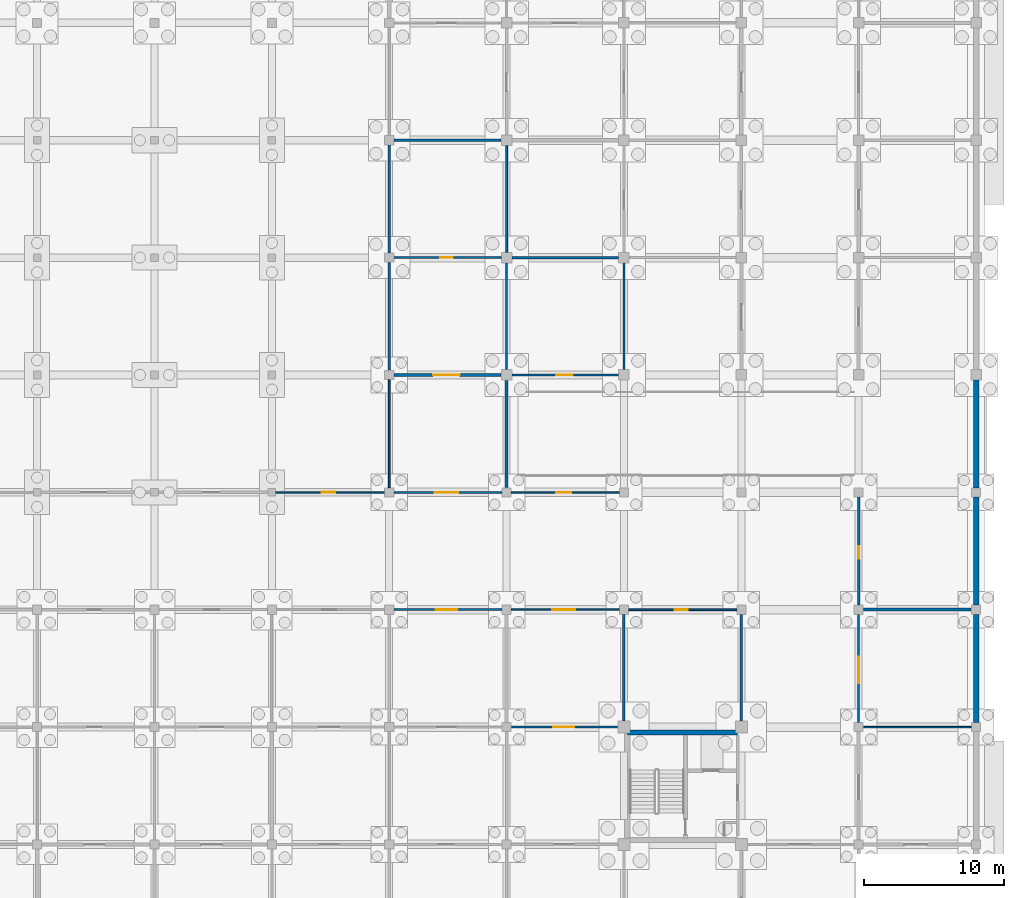
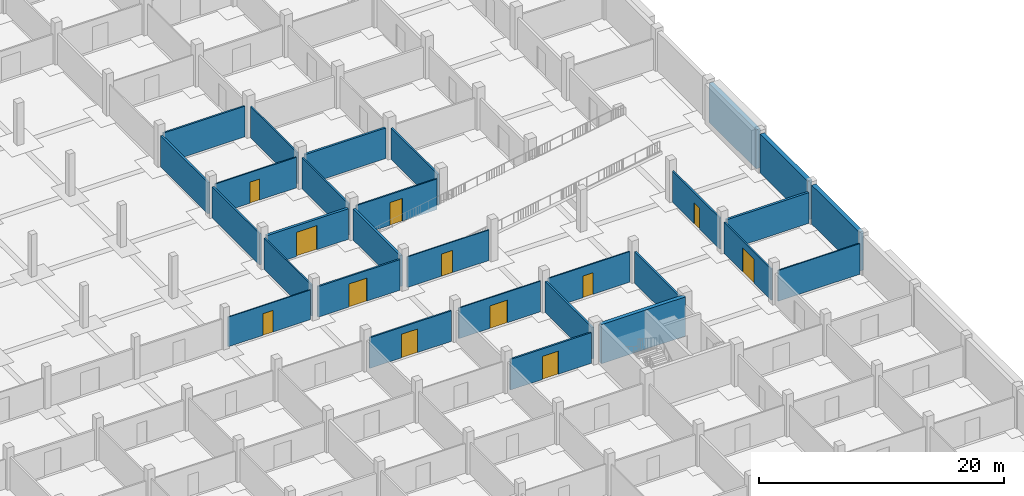
# One storey, part 34 of 43: 29 walls, 12 doors, 12 openings.
"""IFC4 building model written with IfcOpenShell, lengths in metres."""

from ifc_helpers import new_model, si_unit, direction, frame, frame_2d, origin, place, context, subcontext, project, spatial, rectangle, extrude, material, layer, layer_set, type_object, element, fill, save


model = new_model("IFC4")

# Units and contexts
model_context = context("Model", 3, precision=1e-05, world=origin(), true_north=direction((0.0, 1.0)))
body_context = subcontext(model_context, "Body", "Model", "MODEL_VIEW")
ifc_project = project(units=[si_unit("LENGTHUNIT", "METRE"), si_unit("AREAUNIT", "SQUARE_METRE"), si_unit("VOLUMEUNIT", "CUBIC_METRE"), si_unit("PLANEANGLEUNIT", "RADIAN"), si_unit("MASSUNIT", "GRAM", prefix="KILO")], contexts=[model_context])

# Site, building, storey
site_placement = place(None, origin())
site = spatial("IfcSite", under=ifc_project, at=site_placement, CompositionType="ELEMENT")
building_placement = place(site_placement, origin())
building = spatial("IfcBuilding", under=site, at=building_placement, Name="Varnapada Polytechnic", CompositionType="ELEMENT")
storey_placement = place(building_placement, frame((0.0, 0.0, -4.199951171875)))
storey = spatial("IfcBuildingStorey", under=building, at=storey_placement, Name="B1", CompositionType="ELEMENT", Elevation=-4.199951171875)

# Wall
ifc_material_1 = material(Name="Autoclaved Aerated Concrete Block AAC-600", Category="concrete")
ifc_layer_1 = layer(ifc_material_1, 0.14990234375)
ifc_layer_set_1 = layer_set([ifc_layer_1], Name="Autoclaved Aerated Concrete Block AAC-600")
wall_type_1 = type_object("IfcWallType", Name="Interior Wall IW-02", PredefinedType="PARTITIONING", material=ifc_layer_set_1)
wall_1_placement = place(storey_placement, frame((142.800048828125, 59.195068359375, 0.0), z_axis=(0.0, 0.0, 1.0), x_axis=(0.0, 1.0, 0.0)))
element("IfcWall", 1, at=wall_1_placement, inside=storey, type_object=wall_type_1, Name="B1 interior partition IW-B1-16-07-V", PredefinedType="PARTITIONING", context=body_context, shape_type="SweptSolid", body=[
    extrude(rectangle(XDim=7.60986328125, YDim=0.14990234375, at=frame_2d((3.804931640625, 0.0))), origin(), (0.0, 0.0, 1.0), 3.099853515625),
])

# Wall, opening, door
ifc_material_2 = material(Name="Gypsum Plasterboard Acoustic Partition")
ifc_layer_2 = layer(ifc_material_2, 0.125)
ifc_layer_set_2 = layer_set([ifc_layer_2], Name="Gypsum Plasterboard Acoustic Partition")
wall_type_2 = type_object("IfcWallType", Name="Interior Wall IW-03", PredefinedType="PARTITIONING", material=ifc_layer_set_2)
wall_2_placement = place(storey_placement, frame((134.7451171875, 67.199951171875, 0.0), z_axis=(0.0, 0.0, 1.0), x_axis=(1.0, 0.0, 0.0)))
wall_2 = element("IfcWall", 2, at=wall_2_placement, inside=storey, type_object=wall_type_2, Name="B1 interior partition IW-B1-16-07-H", PredefinedType="PARTITIONING", context=body_context, shape_type="SweptSolid", body=[
    extrude(rectangle(XDim=7.659912109375, YDim=0.125, at=frame_2d((3.830078125, 0.0))), origin(), (0.0, 0.0, 1.0), 3.050048828125),
])
opening_1_placement = place(wall_2_placement, frame((3.300048828125, 0.0, 0.0)))
opening_1 = element("IfcOpeningElement", 3, at=opening_1_placement, cuts=wall_2, Name="Opening D-761", PredefinedType="OPENING", context=body_context, shape_type="SweptSolid", body=[
    extrude(rectangle(XDim=0.89990234375, YDim=2.10009765625, at=frame_2d((0.449951171875, 1.050048828125))), frame((0.0, 0.072509765625, 0.0), z_axis=(0.0, -1.0, 0.0), x_axis=(1.0, 0.0, 0.0)), (0.0, 0.0, 1.0), 0.14501953125),
])
ifc_material_3 = material(Name="Moisture-Resistant HPL Timber", Category="wood")
door_type_1 = type_object("IfcDoorType", Name="Interior Door ID-15", OperationType="NOTDEFINED", PredefinedType="DOOR", material=ifc_material_3)
door_1_placement = place(opening_1_placement, frame((0.89990234375, 0.0, 0.0), z_axis=(0.0, 0.0, 1.0), x_axis=(-1.0, 0.0, 0.0)))
door_1 = element("IfcDoor", 4, at=door_1_placement, inside=storey, type_object=door_type_1, Name="B1 interior room door D-761", OperationType="SINGLE_SWING_RIGHT", OverallHeight=2.10009765625, OverallWidth=0.89990234375, PredefinedType="DOOR", context=body_context, shape_type="SweptSolid", body=[
    extrude(rectangle(XDim=0.89990234375, YDim=2.10009765625, at=frame_2d((0.449951171875, 1.050048828125))), frame((0.0, 0.02490234375, 0.0), z_axis=(0.0, -1.0, 0.0), x_axis=(1.0, 0.0, 0.0)), (0.0, 0.0, 1.0), 0.050048828125),
])
fill(opening_1, door_1)

# Walls
ifc_material_4 = material(Name="Moisture-Resistant Cement Board Partition")
ifc_layer_3 = layer(ifc_material_4, 0.139892578125)
ifc_layer_set_3 = layer_set([ifc_layer_3], Name="Moisture-Resistant Cement Board Partition")
wall_type_3 = type_object("IfcWallType", Name="Interior Wall IW-04", PredefinedType="PARTITIONING", material=ifc_layer_set_3)
wall_3_placement = place(storey_placement, frame((142.800048828125, 67.594970703125, 0.0), z_axis=(0.0, 0.0, 1.0), x_axis=(0.0, 1.0, 0.0)))
element("IfcWall", 5, at=wall_3_placement, inside=storey, type_object=wall_type_3, Name="B1 interior partition IW-B1-16-08-V", PredefinedType="PARTITIONING", context=body_context, shape_type="SweptSolid", body=[
    extrude(rectangle(XDim=7.610107421875, YDim=0.139892578125, at=frame_2d((3.80517578125, 0.0))), origin(), (0.0, 0.0, 1.0), 3.099853515625),
])
ifc_material_5 = material(Name="Cross-laminated timber CLT C24", Category="wood")
ifc_layer_4 = layer(ifc_material_5, 0.159912109375)
ifc_layer_set_4 = layer_set([ifc_layer_4], Name="Cross-laminated timber CLT C24")
wall_type_4 = type_object("IfcWallType", Name="Interior Wall IW-05", PredefinedType="PARTITIONING", material=ifc_layer_set_4)
wall_4_placement = place(storey_placement, frame((134.7451171875, 75.60009765625, 0.0), z_axis=(0.0, 0.0, 1.0), x_axis=(1.0, 0.0, 0.0)))
element("IfcWall", 6, at=wall_4_placement, inside=storey, type_object=wall_type_4, Name="B1 interior partition IW-B1-16-08-H", PredefinedType="PARTITIONING", context=body_context, shape_type="SweptSolid", body=[
    extrude(rectangle(XDim=7.659912109375, YDim=0.159912109375, at=frame_2d((3.830078125, 0.0))), origin(), (0.0, 0.0, 1.0), 3.050048828125),
])

# Wall, opening, door
wall_5_placement = place(storey_placement, frame((143.14501953125, 33.60009765625, 0.0), z_axis=(0.0, 0.0, 1.0), x_axis=(1.0, 0.0, 0.0)))
wall_5 = element("IfcWall", 7, at=wall_5_placement, inside=storey, type_object=wall_type_4, Name="B1 interior partition IW-B1-17-03-H", PredefinedType="PARTITIONING", context=body_context, shape_type="SweptSolid", body=[
    extrude(rectangle(XDim=7.60986328125, YDim=0.159912109375, at=frame_2d((3.804931640625, 0.0))), origin(), (0.0, 0.0, 1.0), 3.050048828125),
])
opening_2_placement = place(wall_5_placement, frame((3.0, 0.0, 0.0)))
opening_2 = element("IfcOpeningElement", 8, at=opening_2_placement, cuts=wall_5, Name="Opening D-770", PredefinedType="OPENING", context=body_context, shape_type="SweptSolid", body=[
    extrude(rectangle(XDim=1.5, YDim=2.300048828125, at=frame_2d((0.75, 1.14990234375))), frame((0.0, 0.08984375, 0.0), z_axis=(0.0, -1.0, 0.0), x_axis=(1.0, 0.0, 0.0)), (0.0, 0.0, 1.0), 0.179931640625),
])
ifc_material_6 = material(Name="Galvanized Steel Z275", Category="steel")
door_type_2 = type_object("IfcDoorType", Name="Interior Door ID-07", OperationType="NOTDEFINED", PredefinedType="DOOR", material=ifc_material_6)
door_2_placement = place(opening_2_placement, frame((1.5, 0.0, 0.0), z_axis=(0.0, 0.0, 1.0), x_axis=(-1.0, 0.0, 0.0)))
door_2 = element("IfcDoor", 9, at=door_2_placement, inside=storey, type_object=door_type_2, Name="B1 interior room door D-770", OperationType="SINGLE_SWING_LEFT", OverallHeight=2.300048828125, OverallWidth=1.5, PredefinedType="DOOR", context=body_context, shape_type="SweptSolid", body=[
    extrude(rectangle(XDim=1.5, YDim=2.300048828125, at=frame_2d((0.75, 1.14990234375))), frame((0.0, 0.02490234375, 0.0), z_axis=(0.0, -1.0, 0.0), x_axis=(1.0, 0.0, 0.0)), (0.0, 0.0, 1.0), 0.050048828125),
])
fill(opening_2, door_2)

# Wall
ifc_material_7 = material(Name="Acoustic Double-Stud Studio Partition")
ifc_layer_5 = layer(ifc_material_7, 0.179931640625)
ifc_layer_set_5 = layer_set([ifc_layer_5], Name="Acoustic Double-Stud Studio Partition")
wall_type_5 = type_object("IfcWallType", Name="Interior Wall IW-06", PredefinedType="PARTITIONING", material=ifc_layer_set_5)
wall_6_placement = place(storey_placement, frame((151.199951171875, 34.044921875, 0.0), z_axis=(0.0, 0.0, 1.0), x_axis=(0.0, 1.0, 0.0)))
element("IfcWall", 10, at=wall_6_placement, inside=storey, type_object=wall_type_5, Name="B1 interior partition IW-B1-17-04-V", PredefinedType="PARTITIONING", context=body_context, shape_type="SweptSolid", body=[
    extrude(rectangle(XDim=7.610107421875, YDim=0.179931640625, at=frame_2d((3.80517578125, 0.0))), origin(), (0.0, 0.0, 1.0), 3.099853515625),
])

# Wall, opening, door
ifc_material_8 = material(Name="Glazed Timber-Framed Studio Screen", Category="wood")
ifc_layer_6 = layer(ifc_material_8, 0.110107421875)
ifc_layer_set_6 = layer_set([ifc_layer_6], Name="Glazed Timber-Framed Studio Screen")
wall_type_6 = type_object("IfcWallType", Name="Interior Wall IW-07", PredefinedType="PARTITIONING", material=ifc_layer_set_6)
wall_7_placement = place(storey_placement, frame((143.14501953125, 42.0, 0.0), z_axis=(0.0, 0.0, 1.0), x_axis=(1.0, 0.0, 0.0)))
wall_7 = element("IfcWall", 11, at=wall_7_placement, inside=storey, type_object=wall_type_6, Name="B1 interior partition IW-B1-17-04-H", PredefinedType="PARTITIONING", context=body_context, shape_type="SweptSolid", body=[
    extrude(rectangle(XDim=7.7099609375, YDim=0.110107421875, at=frame_2d((3.85498046875, 0.0))), origin(), (0.0, 0.0, 1.0), 3.050048828125),
])
opening_3_placement = place(wall_7_placement, frame((2.925048828125, 0.0, 0.0)))
opening_3 = element("IfcOpeningElement", 12, at=opening_3_placement, cuts=wall_7, Name="Opening D-771", PredefinedType="OPENING", context=body_context, shape_type="SweptSolid", body=[
    extrude(rectangle(XDim=1.64990234375, YDim=2.25, at=frame_2d((0.824951171875, 1.125))), frame((0.0, 0.06494140625, 0.0), z_axis=(0.0, -1.0, 0.0), x_axis=(1.0, 0.0, 0.0)), (0.0, 0.0, 1.0), 0.130126953125),
])
ifc_material_9 = material(Name="Solid Teak Hardwood Timber", Category="wood")
door_type_3 = type_object("IfcDoorType", Name="Interior Door ID-08", OperationType="NOTDEFINED", PredefinedType="DOOR", material=ifc_material_9)
door_3_placement = place(opening_3_placement, origin())
door_3 = element("IfcDoor", 13, at=door_3_placement, inside=storey, type_object=door_type_3, Name="B1 interior room door D-771", OperationType="SINGLE_SWING_RIGHT", OverallHeight=2.25, OverallWidth=1.64990234375, PredefinedType="DOOR", context=body_context, shape_type="SweptSolid", body=[
    extrude(rectangle(XDim=1.64990234375, YDim=2.25, at=frame_2d((0.824951171875, 1.125))), frame((0.0, 0.02490234375, 0.0), z_axis=(0.0, -1.0, 0.0), x_axis=(1.0, 0.0, 0.0)), (0.0, 0.0, 1.0), 0.050048828125),
])
fill(opening_3, door_3)

ifc_material_10 = material(Name="Operable Acoustic Seminar Partition")
ifc_layer_7 = layer(ifc_material_10, 0.10009765625)
ifc_layer_set_7 = layer_set([ifc_layer_7], Name="Operable Acoustic Seminar Partition")
wall_type_7 = type_object("IfcWallType", Name="Interior Wall IW-08", PredefinedType="MOVABLE", material=ifc_layer_set_7)
wall_8_placement = place(storey_placement, frame((126.294921875, 50.39990234375, 0.0), z_axis=(0.0, 0.0, 1.0), x_axis=(1.0, 0.0, 0.0)))
wall_8 = element("IfcWall", 14, at=wall_8_placement, inside=storey, type_object=wall_type_7, Name="B1 interior partition IW-B1-15-05-H", PredefinedType="MOVABLE", context=body_context, shape_type="SweptSolid", body=[
    extrude(rectangle(XDim=7.760009765625, YDim=0.10009765625, at=frame_2d((3.8798828125, 0.0))), origin(), (0.0, 0.0, 1.0), 2.949951171875),
])
opening_4_placement = place(wall_8_placement, frame((3.27490234375, 0.0, 0.0)))
opening_4 = element("IfcOpeningElement", 15, at=opening_4_placement, cuts=wall_8, Name="Opening D-749", PredefinedType="OPENING", context=body_context, shape_type="SweptSolid", body=[
    extrude(rectangle(XDim=0.949951171875, YDim=2.14990234375, at=frame_2d((0.47509765625, 1.074951171875))), frame((0.0, 0.06005859375, 0.0), z_axis=(0.0, -1.0, 0.0), x_axis=(1.0, 0.0, 0.0)), (0.0, 0.0, 1.0), 0.1201171875),
])
door_type_4 = type_object("IfcDoorType", Name="Interior Door ID-03", OperationType="NOTDEFINED", PredefinedType="DOOR", material=ifc_material_3)
door_4_placement = place(opening_4_placement, frame((0.949951171875, 0.0, 0.0), z_axis=(0.0, 0.0, 1.0), x_axis=(-1.0, 0.0, 0.0)))
door_4 = element("IfcDoor", 16, at=door_4_placement, inside=storey, type_object=door_type_4, Name="B1 interior room door D-749", OperationType="SINGLE_SWING_RIGHT", OverallHeight=2.14990234375, OverallWidth=0.949951171875, PredefinedType="DOOR", context=body_context, shape_type="SweptSolid", body=[
    extrude(rectangle(XDim=0.949951171875, YDim=2.14990234375, at=frame_2d((0.47509765625, 1.074951171875))), frame((0.0, 0.02490234375, 0.0), z_axis=(0.0, -1.0, 0.0), x_axis=(1.0, 0.0, 0.0)), (0.0, 0.0, 1.0), 0.050048828125),
])
fill(opening_4, door_4)

wall_9_placement = place(storey_placement, frame((143.14501953125, 50.39990234375, 0.0), z_axis=(0.0, 0.0, 1.0), x_axis=(1.0, 0.0, 0.0)))
wall_9 = element("IfcWall", 17, at=wall_9_placement, inside=storey, type_object=wall_type_7, Name="B1 interior partition IW-B1-17-05-H", PredefinedType="MOVABLE", context=body_context, shape_type="SweptSolid", body=[
    extrude(rectangle(XDim=7.7099609375, YDim=0.10009765625, at=frame_2d((3.85498046875, 0.0))), origin(), (0.0, 0.0, 1.0), 3.050048828125),
])
opening_5_placement = place(wall_9_placement, frame((3.22509765625, 0.0, 0.0)))
opening_5 = element("IfcOpeningElement", 18, at=opening_5_placement, cuts=wall_9, Name="Opening D-772", PredefinedType="OPENING", context=body_context, shape_type="SweptSolid", body=[
    extrude(rectangle(XDim=1.050048828125, YDim=2.199951171875, at=frame_2d((0.52490234375, 1.10009765625))), frame((0.0, 0.06005859375, 0.0), z_axis=(0.0, -1.0, 0.0), x_axis=(1.0, 0.0, 0.0)), (0.0, 0.0, 1.0), 0.1201171875),
])
door_type_5 = type_object("IfcDoorType", Name="Interior Door ID-09", OperationType="NOTDEFINED", PredefinedType="DOOR", material=ifc_material_9)
door_5_placement = place(opening_5_placement, origin())
door_5 = element("IfcDoor", 19, at=door_5_placement, inside=storey, type_object=door_type_5, Name="B1 interior room door D-772", OperationType="SINGLE_SWING_LEFT", OverallHeight=2.199951171875, OverallWidth=1.050048828125, PredefinedType="DOOR", context=body_context, shape_type="SweptSolid", body=[
    extrude(rectangle(XDim=1.050048828125, YDim=2.199951171875, at=frame_2d((0.52490234375, 1.10009765625))), frame((0.0, 0.02490234375, 0.0), z_axis=(0.0, -1.0, 0.0), x_axis=(1.0, 0.0, 0.0)), (0.0, 0.0, 1.0), 0.050048828125),
])
fill(opening_5, door_5)

# Wall
ifc_material_11 = material(Name="Calcium Silicate Acoustic Lab Partition")
ifc_layer_8 = layer(ifc_material_11, 0.135009765625)
ifc_layer_set_8 = layer_set([ifc_layer_8], Name="Calcium Silicate Acoustic Lab Partition")
wall_type_8 = type_object("IfcWallType", Name="Interior Wall IW-09", PredefinedType="PARTITIONING", material=ifc_layer_set_8)
wall_10_placement = place(storey_placement, frame((134.39990234375, 50.7451171875, 0.0), z_axis=(0.0, 0.0, 1.0), x_axis=(0.0, 1.0, 0.0)))
element("IfcWall", 20, at=wall_10_placement, inside=storey, type_object=wall_type_8, Name="B1 interior partition IW-B1-15-06-V", PredefinedType="PARTITIONING", context=body_context, shape_type="SweptSolid", body=[
    extrude(rectangle(XDim=7.7099609375, YDim=0.135009765625, at=frame_2d((3.85498046875, 0.0))), origin(), (0.0, 0.0, 1.0), 3.099853515625),
])

# Wall, opening, door
wall_11_placement = place(storey_placement, frame((143.195068359375, 58.800048828125, 0.0), z_axis=(0.0, 0.0, 1.0), x_axis=(1.0, 0.0, 0.0)))
wall_11 = element("IfcWall", 21, at=wall_11_placement, inside=storey, type_object=wall_type_8, Name="B1 interior partition IW-B1-17-06-H", PredefinedType="PARTITIONING", context=body_context, shape_type="SweptSolid", body=[
    extrude(rectangle(XDim=7.60986328125, YDim=0.135009765625, at=frame_2d((3.804931640625, 0.0))), origin(), (0.0, 0.0, 1.0), 3.050048828125),
])
opening_6_placement = place(wall_11_placement, frame((3.175048828125, 0.0, 0.0)))
opening_6 = element("IfcOpeningElement", 22, at=opening_6_placement, cuts=wall_11, Name="Opening D-773", PredefinedType="OPENING", context=body_context, shape_type="SweptSolid", body=[
    extrude(rectangle(XDim=1.14990234375, YDim=2.25, at=frame_2d((0.574951171875, 1.125))), frame((0.0, 0.077392578125, 0.0), z_axis=(0.0, -1.0, 0.0), x_axis=(1.0, 0.0, 0.0)), (0.0, 0.0, 1.0), 0.155029296875),
])
ifc_material_12 = material(Name="Powder-Coated Aluminium 6063-T6", Category="aluminium")
door_type_6 = type_object("IfcDoorType", Name="Interior Door ID-10", OperationType="NOTDEFINED", PredefinedType="DOOR", material=ifc_material_12)
door_6_placement = place(opening_6_placement, frame((1.14990234375, 0.0, 0.0), z_axis=(0.0, 0.0, 1.0), x_axis=(-1.0, 0.0, 0.0)))
door_6 = element("IfcDoor", 23, at=door_6_placement, inside=storey, type_object=door_type_6, Name="B1 interior room door D-773", OperationType="SINGLE_SWING_RIGHT", OverallHeight=2.25, OverallWidth=1.14990234375, PredefinedType="DOOR", context=body_context, shape_type="SweptSolid", body=[
    extrude(rectangle(XDim=1.14990234375, YDim=2.25, at=frame_2d((0.574951171875, 1.125))), frame((0.0, 0.02490234375, 0.0), z_axis=(0.0, -1.0, 0.0), x_axis=(1.0, 0.0, 0.0)), (0.0, 0.0, 1.0), 0.050048828125),
])
fill(opening_6, door_6)

# Walls
ifc_material_13 = material(Name="Double-Layer Fireboard Workshop Wall")
ifc_layer_9 = layer(ifc_material_13, 0.169921875)
ifc_layer_set_9 = layer_set([ifc_layer_9], Name="Double-Layer Fireboard Workshop Wall")
wall_type_9 = type_object("IfcWallType", Name="Interior Wall IW-10", PredefinedType="PARTITIONING", material=ifc_layer_set_9)
wall_12_placement = place(storey_placement, frame((134.39990234375, 59.14501953125, 0.0), z_axis=(0.0, 0.0, 1.0), x_axis=(0.0, 1.0, 0.0)))
element("IfcWall", 24, at=wall_12_placement, inside=storey, type_object=wall_type_9, Name="B1 interior partition IW-B1-15-07-V", PredefinedType="PARTITIONING", context=body_context, shape_type="SweptSolid", body=[
    extrude(rectangle(XDim=7.7099609375, YDim=0.169921875, at=frame_2d((3.85498046875, 0.0))), origin(), (0.0, 0.0, 1.0), 3.099853515625),
])
wall_13_placement = place(storey_placement, frame((151.199951171875, 59.195068359375, 0.0), z_axis=(0.0, 0.0, 1.0), x_axis=(0.0, 1.0, 0.0)))
element("IfcWall", 25, at=wall_13_placement, inside=storey, type_object=wall_type_9, Name="B1 interior partition IW-B1-17-07-V", PredefinedType="PARTITIONING", context=body_context, shape_type="SweptSolid", body=[
    extrude(rectangle(XDim=7.60986328125, YDim=0.169921875, at=frame_2d((3.804931640625, 0.0))), origin(), (0.0, 0.0, 1.0), 3.099853515625),
])
ifc_material_14 = material(Name="Insulated Masonry Plant Room Wall", Category="masonry")
ifc_layer_10 = layer(ifc_material_14, 0.18994140625)
ifc_layer_set_10 = layer_set([ifc_layer_10], Name="Insulated Masonry Plant Room Wall")
wall_type_10 = type_object("IfcWallType", Name="Interior Wall IW-11", PredefinedType="PARTITIONING", material=ifc_layer_set_10)
wall_14_placement = place(storey_placement, frame((134.39990234375, 67.544921875, 0.0), z_axis=(0.0, 0.0, 1.0), x_axis=(0.0, 1.0, 0.0)))
element("IfcWall", 26, at=wall_14_placement, inside=storey, type_object=wall_type_10, Name="B1 interior partition IW-B1-15-08-V", PredefinedType="PARTITIONING", context=body_context, shape_type="SweptSolid", body=[
    extrude(rectangle(XDim=7.7099609375, YDim=0.18994140625, at=frame_2d((3.85498046875, 0.0))), origin(), (0.0, 0.0, 1.0), 3.099853515625),
])
wall_15_placement = place(storey_placement, frame((143.195068359375, 67.199951171875, 0.0), z_axis=(0.0, 0.0, 1.0), x_axis=(1.0, 0.0, 0.0)))
element("IfcWall", 27, at=wall_15_placement, inside=storey, type_object=wall_type_10, Name="B1 interior partition IW-B1-17-07-H", PredefinedType="PARTITIONING", context=body_context, shape_type="SweptSolid", body=[
    extrude(rectangle(XDim=7.60986328125, YDim=0.18994140625, at=frame_2d((3.804931640625, 0.0))), origin(), (0.0, 0.0, 1.0), 3.050048828125),
])
wall_16_placement = place(storey_placement, frame((159.60009765625, 34.044921875, 0.0), z_axis=(0.0, 0.0, 1.0), x_axis=(0.0, 1.0, 0.0)))
element("IfcWall", 28, at=wall_16_placement, inside=storey, type_object=wall_type_10, Name="B1 interior partition IW-B1-18-04-V", PredefinedType="PARTITIONING", context=body_context, shape_type="SweptSolid", body=[
    extrude(rectangle(XDim=7.610107421875, YDim=0.18994140625, at=frame_2d((3.80517578125, 0.0))), origin(), (0.0, 0.0, 1.0), 3.099853515625),
])

# Wall, opening, door
ifc_material_15 = material(Name="Timber-Stud Studio Critique Partition", Category="wood")
ifc_layer_11 = layer(ifc_material_15, 0.114990234375)
ifc_layer_set_11 = layer_set([ifc_layer_11], Name="Timber-Stud Studio Critique Partition")
wall_type_11 = type_object("IfcWallType", Name="Interior Wall IW-12", PredefinedType="PARTITIONING", material=ifc_layer_set_11)
wall_17_placement = place(storey_placement, frame((151.544921875, 42.0, 0.0), z_axis=(0.0, 0.0, 1.0), x_axis=(1.0, 0.0, 0.0)))
wall_17 = element("IfcWall", 29, at=wall_17_placement, inside=storey, type_object=wall_type_11, Name="B1 interior partition IW-B1-18-04-H", PredefinedType="PARTITIONING", context=body_context, shape_type="SweptSolid", body=[
    extrude(rectangle(XDim=7.7099609375, YDim=0.114990234375, at=frame_2d((3.85498046875, 0.0))), origin(), (0.0, 0.0, 1.0), 3.050048828125),
])
opening_7_placement = place(wall_17_placement, frame((3.27490234375, 0.0, 0.0)))
opening_7 = element("IfcOpeningElement", 30, at=opening_7_placement, cuts=wall_17, Name="Opening D-783", PredefinedType="OPENING", context=body_context, shape_type="SweptSolid", body=[
    extrude(rectangle(XDim=0.949951171875, YDim=2.14990234375, at=frame_2d((0.47509765625, 1.074951171875))), frame((0.0, 0.0673828125, 0.0), z_axis=(0.0, -1.0, 0.0), x_axis=(1.0, 0.0, 0.0)), (0.0, 0.0, 1.0), 0.135009765625),
])
door_7_placement = place(opening_7_placement, origin())
door_7 = element("IfcDoor", 31, at=door_7_placement, inside=storey, type_object=door_type_4, Name="B1 interior room door D-783", OperationType="SINGLE_SWING_RIGHT", OverallHeight=2.14990234375, OverallWidth=0.949951171875, PredefinedType="DOOR", context=body_context, shape_type="SweptSolid", body=[
    extrude(rectangle(XDim=0.949951171875, YDim=2.14990234375, at=frame_2d((0.47509765625, 1.074951171875))), frame((0.0, 0.02490234375, 0.0), z_axis=(0.0, -1.0, 0.0), x_axis=(1.0, 0.0, 0.0)), (0.0, 0.0, 1.0), 0.050048828125),
])
fill(opening_7, door_7)

# Walls
wall_18_placement = place(storey_placement, frame((168.344970703125, 33.60009765625, 0.0), z_axis=(0.0, 0.0, 1.0), x_axis=(1.0, 0.0, 0.0)))
element("IfcWall", 32, at=wall_18_placement, inside=storey, type_object=wall_type_11, Name="B1 interior partition IW-B1-20-03-H", PredefinedType="PARTITIONING", context=body_context, shape_type="SweptSolid", body=[
    extrude(rectangle(XDim=7.7099609375, YDim=0.114990234375, at=frame_2d((3.85498046875, 0.0))), origin(), (0.0, 0.0, 1.0), 3.050048828125),
])
ifc_material_16 = material(Name="Heavy Acoustic Auditorium Baffle Wall")
ifc_layer_12 = layer(ifc_material_16, 0.219970703125)
ifc_layer_set_12 = layer_set([ifc_layer_12], Name="Heavy Acoustic Auditorium Baffle Wall")
wall_type_12 = type_object("IfcWallType", Name="Interior Wall IW-13", PredefinedType="PARTITIONING", material=ifc_layer_set_12)
wall_19_placement = place(storey_placement, frame((168.344970703125, 42.0, 0.0), z_axis=(0.0, 0.0, 1.0), x_axis=(1.0, 0.0, 0.0)))
element("IfcWall", 33, at=wall_19_placement, inside=storey, type_object=wall_type_12, Name="B1 interior partition IW-B1-20-04-H", PredefinedType="PARTITIONING", context=body_context, shape_type="SweptSolid", body=[
    extrude(rectangle(XDim=7.7099609375, YDim=0.219970703125, at=frame_2d((3.85498046875, 0.0))), origin(), (0.0, 0.0, 1.0), 3.050048828125),
])

# Wall, opening, door
ifc_material_17 = material(Name="Ceramic-Tiled Wet Laboratory Wall")
ifc_layer_13 = layer(ifc_material_17, 0.14501953125)
ifc_layer_set_13 = layer_set([ifc_layer_13], Name="Ceramic-Tiled Wet Laboratory Wall")
wall_type_13 = type_object("IfcWallType", Name="Interior Wall IW-14", PredefinedType="PARTITIONING", material=ifc_layer_set_13)
wall_20_placement = place(storey_placement, frame((134.7451171875, 42.0, 0.0), z_axis=(0.0, 0.0, 1.0), x_axis=(1.0, 0.0, 0.0)))
wall_20 = element("IfcWall", 34, at=wall_20_placement, inside=storey, type_object=wall_type_13, Name="B1 interior partition IW-B1-16-04-H", PredefinedType="PARTITIONING", context=body_context, shape_type="SweptSolid", body=[
    extrude(rectangle(XDim=7.7099609375, YDim=0.14501953125, at=frame_2d((3.85498046875, 0.0))), origin(), (0.0, 0.0, 1.0), 3.050048828125),
])
opening_8_placement = place(wall_20_placement, frame((2.97509765625, 0.0, 0.0)))
opening_8 = element("IfcOpeningElement", 35, at=opening_8_placement, cuts=wall_20, Name="Opening D-758", PredefinedType="OPENING", context=body_context, shape_type="SweptSolid", body=[
    extrude(rectangle(XDim=1.550048828125, YDim=2.35009765625, at=frame_2d((0.77490234375, 1.175048828125))), frame((0.0, 0.08251953125, 0.0), z_axis=(0.0, -1.0, 0.0), x_axis=(1.0, 0.0, 0.0)), (0.0, 0.0, 1.0), 0.1650390625),
])
door_type_7 = type_object("IfcDoorType", Name="Interior Door ID-12", OperationType="NOTDEFINED", PredefinedType="DOOR", material=ifc_material_6)
door_8_placement = place(opening_8_placement, frame((1.550048828125, 0.0, 0.0), z_axis=(0.0, 0.0, 1.0), x_axis=(-1.0, 0.0, 0.0)))
door_8 = element("IfcDoor", 36, at=door_8_placement, inside=storey, type_object=door_type_7, Name="B1 interior room door D-758", OperationType="SINGLE_SWING_LEFT", OverallHeight=2.35009765625, OverallWidth=1.550048828125, PredefinedType="DOOR", context=body_context, shape_type="SweptSolid", body=[
    extrude(rectangle(XDim=1.550048828125, YDim=2.35009765625, at=frame_2d((0.77490234375, 1.175048828125))), frame((0.0, 0.02490234375, 0.0), z_axis=(0.0, -1.0, 0.0), x_axis=(1.0, 0.0, 0.0)), (0.0, 0.0, 1.0), 0.050048828125),
])
fill(opening_8, door_8)

wall_21_placement = place(storey_placement, frame((168.0, 33.945068359375, 0.0), z_axis=(0.0, 0.0, 1.0), x_axis=(0.0, 1.0, 0.0)))
wall_21 = element("IfcWall", 37, at=wall_21_placement, inside=storey, type_object=wall_type_13, Name="B1 interior partition IW-B1-19-04-V", PredefinedType="PARTITIONING", context=body_context, shape_type="SweptSolid", body=[
    extrude(rectangle(XDim=7.7099609375, YDim=0.14501953125, at=frame_2d((3.85498046875, 0.0))), origin(), (0.0, 0.0, 1.0), 3.099853515625),
])
opening_9_placement = place(wall_21_placement, frame((2.800048828125, 0.0, 0.0)))
opening_9 = element("IfcOpeningElement", 38, at=opening_9_placement, cuts=wall_21, Name="Opening D-794", PredefinedType="OPENING", context=body_context, shape_type="SweptSolid", body=[
    extrude(rectangle(XDim=1.89990234375, YDim=2.39990234375, at=frame_2d((0.949951171875, 1.199951171875))), frame((0.0, 0.08251953125, 0.0), z_axis=(0.0, -1.0, 0.0), x_axis=(1.0, 0.0, 0.0)), (0.0, 0.0, 1.0), 0.1650390625),
])
ifc_material_18 = material(Name="Heavy Workshop Double Steel Door", Category="steel")
door_type_8 = type_object("IfcDoorType", Name="Interior Door ID-14", OperationType="NOTDEFINED", PredefinedType="DOOR", material=ifc_material_18)
door_9_placement = place(opening_9_placement, frame((1.89990234375, 0.0, 0.0), z_axis=(0.0, 0.0, 1.0), x_axis=(-1.0, 0.0, 0.0)))
door_9 = element("IfcDoor", 39, at=door_9_placement, inside=storey, type_object=door_type_8, Name="B1 interior room door D-794", OperationType="SINGLE_SWING_LEFT", OverallHeight=2.39990234375, OverallWidth=1.89990234375, PredefinedType="DOOR", context=body_context, shape_type="SweptSolid", body=[
    extrude(rectangle(XDim=1.89990234375, YDim=2.39990234375, at=frame_2d((0.949951171875, 1.199951171875))), frame((0.0, 0.02490234375, 0.0), z_axis=(0.0, -1.0, 0.0), x_axis=(1.0, 0.0, 0.0)), (0.0, 0.0, 1.0), 0.050048828125),
])
fill(opening_9, door_9)

ifc_material_19 = material(Name="Perforated Timber-Lined Seminar Wall", Category="wood")
ifc_layer_14 = layer(ifc_material_19, 0.155029296875)
ifc_layer_set_14 = layer_set([ifc_layer_14], Name="Perforated Timber-Lined Seminar Wall")
wall_type_14 = type_object("IfcWallType", Name="Interior Wall IW-15", PredefinedType="PARTITIONING", material=ifc_layer_set_14)
wall_22_placement = place(storey_placement, frame((134.7451171875, 50.39990234375, 0.0), z_axis=(0.0, 0.0, 1.0), x_axis=(1.0, 0.0, 0.0)))
wall_22 = element("IfcWall", 40, at=wall_22_placement, inside=storey, type_object=wall_type_14, Name="B1 interior partition IW-B1-16-05-H", PredefinedType="PARTITIONING", context=body_context, shape_type="SweptSolid", body=[
    extrude(rectangle(XDim=7.7099609375, YDim=0.155029296875, at=frame_2d((3.85498046875, 0.0))), origin(), (0.0, 0.0, 1.0), 3.050048828125),
])
opening_10_placement = place(wall_22_placement, frame((2.89990234375, 0.0, 0.0)))
opening_10 = element("IfcOpeningElement", 41, at=opening_10_placement, cuts=wall_22, Name="Opening D-759", PredefinedType="OPENING", context=body_context, shape_type="SweptSolid", body=[
    extrude(rectangle(XDim=1.699951171875, YDim=2.300048828125, at=frame_2d((0.85009765625, 1.14990234375))), frame((0.0, 0.08740234375, 0.0), z_axis=(0.0, -1.0, 0.0), x_axis=(1.0, 0.0, 0.0)), (0.0, 0.0, 1.0), 0.175048828125),
])
ifc_material_20 = material(Name="Acoustic Double Timber Leaf", Category="wood")
door_type_9 = type_object("IfcDoorType", Name="Interior Door ID-13", OperationType="NOTDEFINED", PredefinedType="DOOR", material=ifc_material_20)
door_10_placement = place(opening_10_placement, origin())
door_10 = element("IfcDoor", 42, at=door_10_placement, inside=storey, type_object=door_type_9, Name="B1 interior room door D-759", OperationType="SINGLE_SWING_RIGHT", OverallHeight=2.300048828125, OverallWidth=1.699951171875, PredefinedType="DOOR", context=body_context, shape_type="SweptSolid", body=[
    extrude(rectangle(XDim=1.699951171875, YDim=2.300048828125, at=frame_2d((0.85009765625, 1.14990234375))), frame((0.0, 0.02490234375, 0.0), z_axis=(0.0, -1.0, 0.0), x_axis=(1.0, 0.0, 0.0)), (0.0, 0.0, 1.0), 0.050048828125),
])
fill(opening_10, door_10)

wall_23_placement = place(storey_placement, frame((168.0, 42.344970703125, 0.0), z_axis=(0.0, 0.0, 1.0), x_axis=(0.0, 1.0, 0.0)))
wall_23 = element("IfcWall", 43, at=wall_23_placement, inside=storey, type_object=wall_type_14, Name="B1 interior partition IW-B1-19-05-V", PredefinedType="PARTITIONING", context=body_context, shape_type="SweptSolid", body=[
    extrude(rectangle(XDim=7.7099609375, YDim=0.155029296875, at=frame_2d((3.85498046875, 0.0))), origin(), (0.0, 0.0, 1.0), 3.099853515625),
])
opening_11_placement = place(wall_23_placement, frame((3.300048828125, 0.0, 0.0)))
opening_11 = element("IfcOpeningElement", 44, at=opening_11_placement, cuts=wall_23, Name="Opening D-795", PredefinedType="OPENING", context=body_context, shape_type="SweptSolid", body=[
    extrude(rectangle(XDim=0.89990234375, YDim=2.10009765625, at=frame_2d((0.449951171875, 1.050048828125))), frame((0.0, 0.08740234375, 0.0), z_axis=(0.0, -1.0, 0.0), x_axis=(1.0, 0.0, 0.0)), (0.0, 0.0, 1.0), 0.175048828125),
])
door_11_placement = place(opening_11_placement, origin())
door_11 = element("IfcDoor", 45, at=door_11_placement, inside=storey, type_object=door_type_1, Name="B1 interior room door D-795", OperationType="SINGLE_SWING_RIGHT", OverallHeight=2.10009765625, OverallWidth=0.89990234375, PredefinedType="DOOR", context=body_context, shape_type="SweptSolid", body=[
    extrude(rectangle(XDim=0.89990234375, YDim=2.10009765625, at=frame_2d((0.449951171875, 1.050048828125))), frame((0.0, 0.02490234375, 0.0), z_axis=(0.0, -1.0, 0.0), x_axis=(1.0, 0.0, 0.0)), (0.0, 0.0, 1.0), 0.050048828125),
])
fill(opening_11, door_11)

# Wall
ifc_material_21 = material(Name="Heavy Masonry Workshop Partition", Category="masonry")
ifc_layer_15 = layer(ifc_material_21, 0.2099609375)
ifc_layer_set_15 = layer_set([ifc_layer_15], Name="Heavy Masonry Workshop Partition")
wall_type_15 = type_object("IfcWallType", Name="Interior Wall IW-16", PredefinedType="PARTITIONING", material=ifc_layer_set_15)
wall_24_placement = place(storey_placement, frame((142.800048828125, 50.7451171875, 0.0), z_axis=(0.0, 0.0, 1.0), x_axis=(0.0, 1.0, 0.0)))
element("IfcWall", 46, at=wall_24_placement, inside=storey, type_object=wall_type_15, Name="B1 interior partition IW-B1-16-06-V", PredefinedType="PARTITIONING", context=body_context, shape_type="SweptSolid", body=[
    extrude(rectangle(XDim=7.659912109375, YDim=0.2099609375, at=frame_2d((3.830078125, 0.0))), origin(), (0.0, 0.0, 1.0), 3.099853515625),
])

# Wall, opening, door
ifc_material_22 = material(Name="Double-Leaf Acoustic Lecture Wall")
ifc_layer_16 = layer(ifc_material_22, 0.235107421875)
ifc_layer_set_16 = layer_set([ifc_layer_16], Name="Double-Leaf Acoustic Lecture Wall")
wall_type_16 = type_object("IfcWallType", Name="Interior Wall IW-17", PredefinedType="PARTITIONING", material=ifc_layer_set_16)
wall_25_placement = place(storey_placement, frame((134.7451171875, 58.800048828125, 0.0), z_axis=(0.0, 0.0, 1.0), x_axis=(1.0, 0.0, 0.0)))
wall_25 = element("IfcWall", 47, at=wall_25_placement, inside=storey, type_object=wall_type_16, Name="B1 interior partition IW-B1-16-06-H", PredefinedType="PARTITIONING", context=body_context, shape_type="SweptSolid", body=[
    extrude(rectangle(XDim=7.659912109375, YDim=0.235107421875, at=frame_2d((3.830078125, 0.0))), origin(), (0.0, 0.0, 1.0), 3.050048828125),
])
opening_12_placement = place(wall_25_placement, frame((2.800048828125, 0.0, 0.0)))
opening_12 = element("IfcOpeningElement", 48, at=opening_12_placement, cuts=wall_25, Name="Opening D-760", PredefinedType="OPENING", context=body_context, shape_type="SweptSolid", body=[
    extrude(rectangle(XDim=1.89990234375, YDim=2.39990234375, at=frame_2d((0.949951171875, 1.199951171875))), frame((0.0, 0.12744140625, 0.0), z_axis=(0.0, -1.0, 0.0), x_axis=(1.0, 0.0, 0.0)), (0.0, 0.0, 1.0), 0.255126953125),
])
door_12_placement = place(opening_12_placement, origin())
door_12 = element("IfcDoor", 49, at=door_12_placement, inside=storey, type_object=door_type_8, Name="B1 interior room door D-760", OperationType="SINGLE_SWING_LEFT", OverallHeight=2.39990234375, OverallWidth=1.89990234375, PredefinedType="DOOR", context=body_context, shape_type="SweptSolid", body=[
    extrude(rectangle(XDim=1.89990234375, YDim=2.39990234375, at=frame_2d((0.949951171875, 1.199951171875))), frame((0.0, 0.02490234375, 0.0), z_axis=(0.0, -1.0, 0.0), x_axis=(1.0, 0.0, 0.0)), (0.0, 0.0, 1.0), 0.050048828125),
])
fill(opening_12, door_12)

# Walls
ifc_material_23 = material(Name="Concrete C40/50", Category="concrete")
ifc_layer_17 = layer(ifc_material_23, 0.35009765625)
ifc_layer_set_17 = layer_set([ifc_layer_17], Name="Concrete C40/50")
wall_type_17 = type_object("IfcWallType", Name="Interior Wall SW-01", PredefinedType="SHEAR", material=ifc_layer_set_17)
wall_26_placement = place(storey_placement, frame((151.43994140625, 33.219970703125, 0.0), z_axis=(0.0, 0.0, 1.0), x_axis=(1.0, 0.0, 0.0)))
element("IfcWall", 50, at=wall_26_placement, inside=storey, type_object=wall_type_17, Name="B1 C6 core north shear wall", PredefinedType="SHEAR", context=body_context, shape_type="SweptSolid", body=[
    extrude(rectangle(XDim=7.900146484375, YDim=0.35009765625, at=frame_2d((3.9501953125, 0.0))), origin(), (0.0, 0.0, 1.0), 3.89990234375),
])
ifc_layer_18 = layer(ifc_material_23, 0.39990234375)
ifc_layer_set_18 = layer_set([ifc_layer_18], Name="Concrete C40/50")
wall_type_18 = type_object("IfcWallType", Name="Wall RW-01", PredefinedType="STANDARD", material=ifc_layer_set_18)
for number, where, z_axis, x_axis, name in (
    (51, (176.39990234375, 41.675048828125, 0.0), (0.0, 0.0, 1.0), (0.0, -1.0, 0.0), "B1 perimeter retaining wall 68"),
    (52, (176.39990234375, 50.074951171875, 0.0), (0.0, 0.0, 1.0), (0.0, -1.0, 0.0), "B1 perimeter retaining wall 69"),
):
    element("IfcWall", number, at=place(storey_placement, frame(where, z_axis=z_axis, x_axis=x_axis)), inside=storey, type_object=wall_type_18, Name=name, PredefinedType="STANDARD", context=body_context, shape_type="SweptSolid", body=[
        extrude(rectangle(XDim=7.75, YDim=0.39990234375, at=frame_2d((3.875, 0.0))), origin(), (0.0, 0.0, 1.0), 3.8798828125),
    ])
wall_27_placement = place(storey_placement, frame((176.39990234375, 58.425048828125, 0.0), z_axis=(0.0, 0.0, 1.0), x_axis=(0.0, -1.0, 0.0)))
element("IfcWall", 53, at=wall_27_placement, inside=storey, type_object=wall_type_18, Name="B1 perimeter retaining wall 70", PredefinedType="STANDARD", context=body_context, shape_type="SweptSolid", body=[
    extrude(rectangle(XDim=7.699951171875, YDim=0.39990234375, at=frame_2d((3.85009765625, 0.0))), origin(), (0.0, 0.0, 1.0), 3.8798828125),
])

save(model, "model.ifc")
